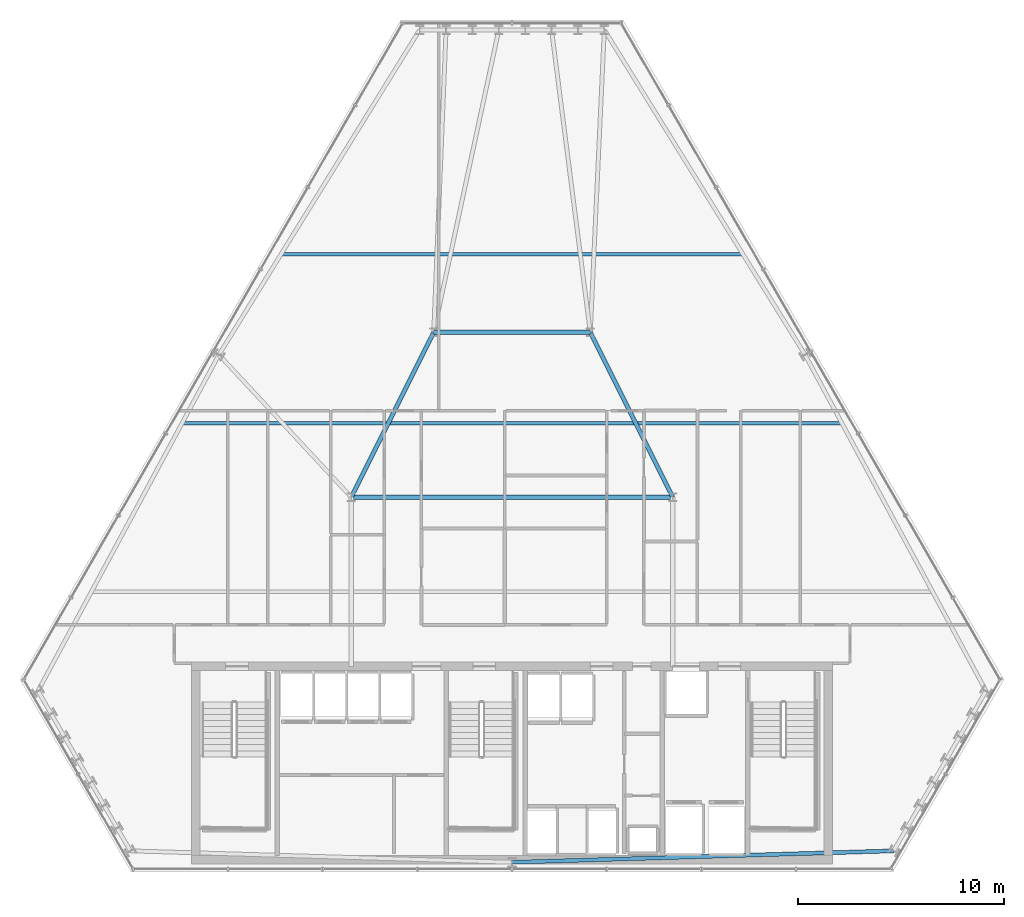
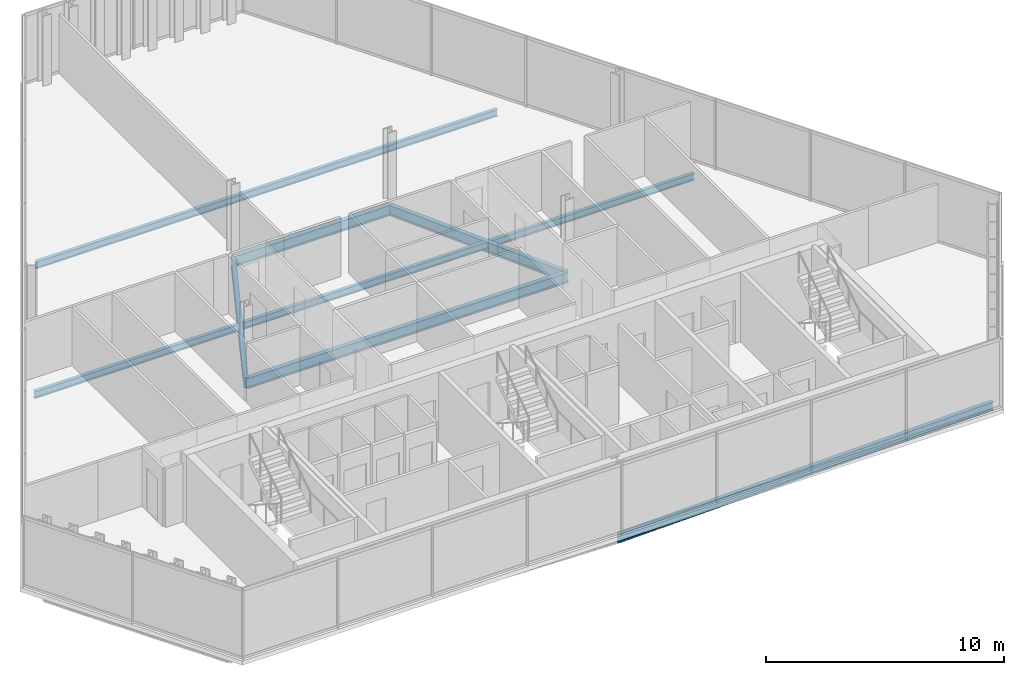
# One storey, part 14 of 33: 7 beams.
"""IFC4 building model written with IfcOpenShell, lengths in metres."""

from ifc_helpers import new_model, si_unit, direction, frame, origin, origin_2d, place, context, subcontext, project, spatial, i_section, extrude, material, material_profile, profile_set, type_object, element, save


model = new_model("IFC4")

# Units and contexts
model_context = context("Model", 3, precision=1e-05, world=origin(), true_north=direction((0.0, 1.0)))
body_context = subcontext(model_context, "Body", "Model", "MODEL_VIEW")
ifc_project = project(units=[si_unit("LENGTHUNIT", "METRE"), si_unit("AREAUNIT", "SQUARE_METRE"), si_unit("VOLUMEUNIT", "CUBIC_METRE"), si_unit("PLANEANGLEUNIT", "RADIAN"), si_unit("MASSUNIT", "GRAM", prefix="KILO")], contexts=[model_context])

# Site, building, storey
site_placement = place(None, origin())
site = spatial("IfcSite", under=ifc_project, at=site_placement, CompositionType="ELEMENT")
building_placement = place(site_placement, origin())
building = spatial("IfcBuilding", under=site, at=building_placement, Name="Ndaravel Arena Tower", CompositionType="ELEMENT")
storey_placement = place(building_placement, frame((0.0, 0.0, 165.0)))
storey = spatial("IfcBuildingStorey", under=building, at=storey_placement, Name="L39", CompositionType="ELEMENT", Elevation=165.0)

# Beams
ifc_material_1 = material(Name="Steel S355", Category="steel")
ifc_material_profile_1 = material_profile(ifc_material_1, i_section(OverallWidth=0.210693359375, OverallDepth=0.53955078125, WebThickness=0.01171875, FlangeThickness=0.018798828125, FilletRadius=0.0126953125, at=origin_2d()), Name="UB 533x210x109")
ifc_profile_set_1 = profile_set([ifc_material_profile_1], Name="Steel S355")
beam_type_1 = type_object("IfcBeamType", Name="BM-GIRD-UB533", PredefinedType="BEAM", material=ifc_profile_set_1)
beam_1_placement = place(storey_placement, frame((34.199951171875, 23.199951171875, -0.48974609375), z_axis=(1.0, 0.0, 0.0), x_axis=(0.0, 1.0, 0.0)))
element("IfcBeam", 1, at=beam_1_placement, inside=storey, type_object=beam_type_1, Name="L39 Spine Link Girder SLG-03", PredefinedType="BEAM", context=body_context, shape_type="SweptSolid", body=[
    extrude(i_section(OverallWidth=0.210693359375, OverallDepth=0.53955078125, WebThickness=0.01171875, FlangeThickness=0.018798828125, FilletRadius=0.0126953125, at=origin_2d()), origin(), (0.0, 0.0, 1.0), 15.60009765625),
])
for number, where, z_axis, x_axis, name in (
    (2, (34.199951171875, 23.199951171875, -0.48974609375), (0.4472135955, 0.894427191, 0.0), (-0.894427191, 0.4472135955, 0.0), "L39 Spine Link Girder SLG-04"),
    (3, (49.800048828125, 23.199951171875, -0.48974609375), (-0.4472135955, 0.894427191, 0.0), (-0.894427191, -0.4472135955, 0.0), "L39 Spine Link Girder SLG-05"),
):
    element("IfcBeam", number, at=place(storey_placement, frame(where, z_axis=z_axis, x_axis=x_axis)), inside=storey, type_object=beam_type_1, Name=name, PredefinedType="BEAM", context=body_context, shape_type="SweptSolid", body=[
        extrude(i_section(OverallWidth=0.210693359375, OverallDepth=0.53955078125, WebThickness=0.01171875, FlangeThickness=0.018798828125, FilletRadius=0.0126953125, at=origin_2d()), origin(), (0.0, 0.0, 1.0), 8.9443359375),
    ])
beam_2_placement = place(storey_placement, frame((38.199951171875, 31.199951171875, -0.48974609375), z_axis=(1.0, 0.0, 0.0), x_axis=(0.0, 1.0, 0.0)))
element("IfcBeam", 4, at=beam_2_placement, inside=storey, type_object=beam_type_1, Name="L39 Spine Link Girder SLG-06", PredefinedType="BEAM", context=body_context, shape_type="SweptSolid", body=[
    extrude(i_section(OverallWidth=0.210693359375, OverallDepth=0.53955078125, WebThickness=0.01171875, FlangeThickness=0.018798828125, FilletRadius=0.0126953125, at=origin_2d()), origin(), (0.0, 0.0, 1.0), 7.60009765625),
])
ifc_material_2 = material(Name="Steel S355", Category="steel")
ifc_material_profile_2 = material_profile(ifc_material_2, i_section(OverallWidth=0.172119140625, OverallDepth=0.35791015625, WebThickness=0.008056640625, FlangeThickness=0.012939453125, FilletRadius=0.01025390625, at=origin_2d()), Name="UB 356x171x57")
ifc_profile_set_2 = profile_set([ifc_material_profile_2], Name="Steel S355")
beam_type_2 = type_object("IfcBeamType", Name="BM-JOIST-UB356", PredefinedType="JOIST", material=ifc_profile_set_2)
beam_3_placement = place(storey_placement, frame((25.992919921875, 26.800048828125, -0.39892578125), z_axis=(1.0, 0.0, 0.0), x_axis=(0.0, 1.0, 0.0)))
element("IfcBeam", 5, at=beam_3_placement, inside=storey, type_object=beam_type_2, Name="L39 Composite Floor Joist FJ-02", PredefinedType="JOIST", context=body_context, shape_type="SweptSolid", body=[
    extrude(i_section(OverallWidth=0.172119140625, OverallDepth=0.35791015625, WebThickness=0.008056640625, FlangeThickness=0.012939453125, FilletRadius=0.01025390625, at=origin_2d()), origin(), (0.0, 0.0, 1.0), 32.01416015625),
])
beam_4_placement = place(storey_placement, frame((30.79541015625, 35.0, -0.39892578125), z_axis=(1.0, 0.0, 0.0), x_axis=(0.0, 1.0, 0.0)))
element("IfcBeam", 6, at=beam_4_placement, inside=storey, type_object=beam_type_2, Name="L39 Composite Floor Joist FJ-03", PredefinedType="JOIST", context=body_context, shape_type="SweptSolid", body=[
    extrude(i_section(OverallWidth=0.172119140625, OverallDepth=0.35791015625, WebThickness=0.008056640625, FlangeThickness=0.012939453125, FilletRadius=0.01025390625, at=origin_2d()), origin(), (0.0, 0.0, 1.0), 22.4091796875),
])
ifc_material_3 = material(Name="Steel S355", Category="steel")
ifc_material_profile_3 = material_profile(ifc_material_3, i_section(OverallWidth=0.18994140625, OverallDepth=0.449951171875, WebThickness=0.009521484375, FlangeThickness=0.0146484375, FilletRadius=0.02099609375, at=origin_2d()), Name="IPE 450")
ifc_profile_set_3 = profile_set([ifc_material_profile_3], Name="Steel S355")
beam_type_3 = type_object("IfcBeamType", Name="BM-SPAN-IPE450", PredefinedType="SPANDREL", material=ifc_profile_set_3)
beam_5_placement = place(storey_placement, frame((42.0, 5.47998046875, -0.445068359375), z_axis=(0.999552850435, 0.029901491401, 0.0), x_axis=(-0.029901491401, 0.999552850435, 0.0)))
element("IfcBeam", 7, at=beam_5_placement, inside=storey, type_object=beam_type_3, Name="L39 Perimeter Spandrel Beam SP-01", PredefinedType="SPANDREL", context=body_context, shape_type="SweptSolid", body=[
    extrude(i_section(OverallWidth=0.18994140625, OverallDepth=0.449951171875, WebThickness=0.009521484375, FlangeThickness=0.0146484375, FilletRadius=0.02099609375, at=origin_2d()), origin(), (0.0, 0.0, 1.0), 18.5341796875),
])

save(model, "model.ifc")
